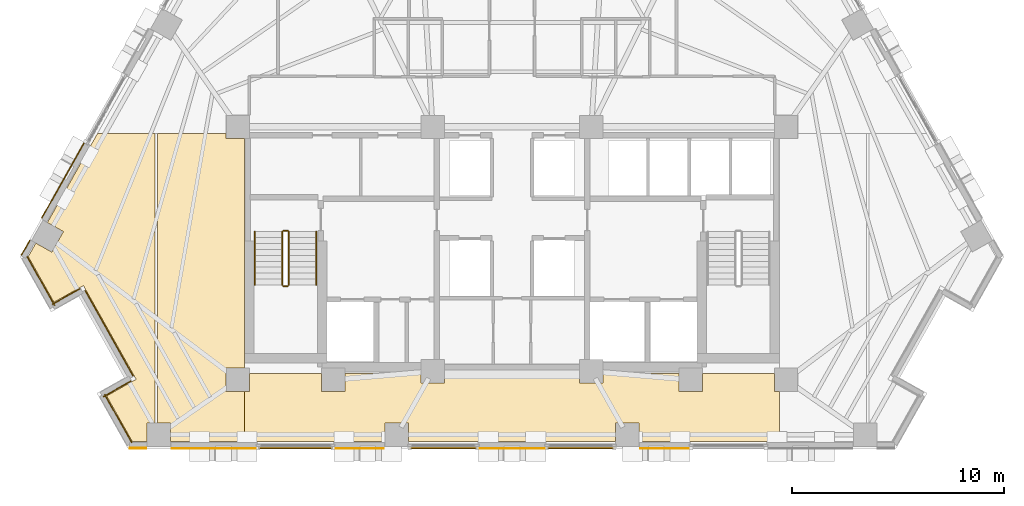
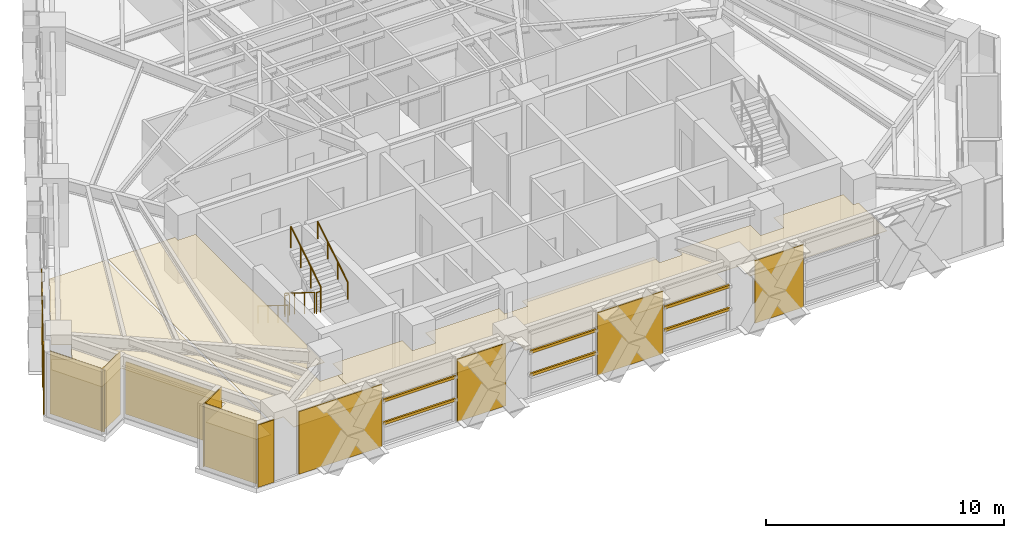
# One storey, part 11 of 14: 15 coverings, 6 railings, 6 shading devices.
"""IFC4 building model written with IfcOpenShell, lengths in metres."""

from ifc_helpers import new_model, si_unit, direction, frame, origin, origin_2d, place, context, subcontext, project, spatial, polyline, rectangle, circle, outline, extrude, material, layer, layer_set, material_profile, profile_set, type_object, element, save


model = new_model("IFC4")

# Units and contexts
model_context = context("Model", 3, precision=1e-05, world=origin(), true_north=direction((0.0, 1.0)))
body_context = subcontext(model_context, "Body", "Model", "MODEL_VIEW")
ifc_project = project(units=[si_unit("LENGTHUNIT", "METRE"), si_unit("AREAUNIT", "SQUARE_METRE"), si_unit("VOLUMEUNIT", "CUBIC_METRE"), si_unit("PLANEANGLEUNIT", "RADIAN"), si_unit("MASSUNIT", "GRAM", prefix="KILO")], contexts=[model_context])

# Site, building, storey
site_placement = place(None, origin())
site = spatial("IfcSite", under=ifc_project, at=site_placement, CompositionType="ELEMENT")
building_placement = place(site_placement, origin())
building = spatial("IfcBuilding", under=site, at=building_placement, Name="Quenlor Broadcast Tower", CompositionType="ELEMENT")
storey_placement = place(building_placement, frame((0.0, 0.0, 112.5)))
storey = spatial("IfcBuildingStorey", under=building, at=storey_placement, Name="L30", CompositionType="ELEMENT", Elevation=112.5)

# Coverings
ifc_material_1 = material(Name="Acoustic Mineral Fibre Board", Category="other")
ifc_layer_1 = layer(ifc_material_1, 0.02490234375)
ifc_layer_set_1 = layer_set([ifc_layer_1], Name="Acoustic Perforated Mineral Tile Ceiling 25")
covering_type_1 = type_object("IfcCoveringType", Name="Acoustic Perforated Mineral Tile Ceiling 25", PredefinedType="CEILING", material=ifc_layer_set_1)
covering_1_placement = place(storey_placement, frame((0.0, 0.0, 2.22509765625)))
element("IfcCovering", 1, at=covering_1_placement, inside=storey, type_object=covering_type_1, Name="L30 Acoustic Ceiling L30-38-4", PredefinedType="CEILING", context=body_context, shape_type="SweptSolid", body=[
    extrude(outline(polyline([(-13.508056640625, -5.35791015625), (-12.64990234375, -5.35791015625), (-12.64990234375, -16.19189453125), (-13.508056640625, -16.19189453125), (-13.508056640625, -17.30810546875), (-12.64990234375, -17.30810546875), (-12.64990234375, -19.659912109375), (-16.134521484375, -19.659912109375), (-16.134521484375, -18.7919921875), (-16.739990234375, -18.7919921875), (-16.739990234375, -5.1201171875), (-13.508056640625, -5.1201171875), (-13.508056640625, -5.35791015625)])), origin(), (0.0, 0.0, 1.0), 0.02490234375),
])
covering_2_placement = place(storey_placement, frame((0.0, 0.0, 2.22509765625)))
element("IfcCovering", 2, at=covering_2_placement, inside=storey, type_object=covering_type_1, Name="L30 Acoustic Ceiling L30-38-5", PredefinedType="CEILING", context=body_context, shape_type="SweptSolid", body=[
    extrude(outline(polyline([(-16.860107421875, -18.7919921875), (-17.25048828125, -18.7919921875), (-17.25048828125, -19.659912109375), (-17.9453125, -19.659912109375), (-19.15380859375, -17.510986328125), (-17.759521484375, -16.7265625), (-20.25, -12.299072265625), (-21.64453125, -13.08349609375), (-22.85693359375, -10.927978515625), (-22.49853515625, -10.290771484375), (-21.741943359375, -10.71630859375), (-21.19482421875, -9.74365234375), (-21.951416015625, -9.318115234375), (-19.58984375, -5.1201171875), (-16.860107421875, -5.1201171875), (-16.860107421875, -18.7919921875)])), origin(), (0.0, 0.0, 1.0), 0.02490234375),
])
covering_3_placement = place(storey_placement, frame((0.0, 0.0, 2.22509765625)))
element("IfcCovering", 3, at=covering_3_placement, inside=storey, type_object=covering_type_1, Name="L30 Acoustic Ceiling L30-38-8", PredefinedType="CEILING", context=body_context, shape_type="SweptSolid", body=[
    extrude(outline(polyline([(-12.39208984375, -17.30810546875), (-12.39208984375, -16.449951171875), (-9.008056640625, -16.449951171875), (-9.008056640625, -17.30810546875), (-7.89208984375, -17.30810546875), (-7.89208984375, -16.449951171875), (-4.30810546875, -16.449951171875), (-4.30810546875, -16.907958984375), (-3.19189453125, -16.907958984375), (-3.19189453125, -16.449951171875), (3.19189453125, -16.449951171875), (3.19189453125, -16.907958984375), (4.30810546875, -16.907958984375), (4.30810546875, -16.449951171875), (7.89208984375, -16.449951171875), (7.89208984375, -17.30810546875), (9.008056640625, -17.30810546875), (9.008056640625, -16.449951171875), (12.39208984375, -16.449951171875), (12.39208984375, -17.30810546875), (12.64990234375, -17.30810546875), (12.64990234375, -19.659912109375), (6.001220703125, -19.659912109375), (6.001220703125, -18.7919921875), (4.88525390625, -18.7919921875), (4.88525390625, -19.659912109375), (-4.88525390625, -19.659912109375), (-4.88525390625, -18.7919921875), (-6.001220703125, -18.7919921875), (-6.001220703125, -19.659912109375), (-12.64990234375, -19.659912109375), (-12.64990234375, -17.30810546875), (-12.39208984375, -17.30810546875)])), origin(), (0.0, 0.0, 1.0), 0.02490234375),
])

# Shading devices
ifc_material_2 = material(Name="Architectural Terracotta Ceramic", Category="masonry")
ifc_material_profile = material_profile(ifc_material_2, rectangle(XDim=0.090087890625, YDim=0.139892578125, at=origin_2d()))
ifc_profile_set = profile_set([ifc_material_profile], Name="Architectural Terracotta Ceramic BAG90x140")
shading_device_type = type_object("IfcShadingDeviceType", Name="Copper Terracotta Baguette Solar Screen 140", PredefinedType="USERDEFINED", material=ifc_profile_set)
for number, where, z_axis, x_axis, name in (
    (4, (-8.47119140625, -19.972900390625, 1.169921875), (-1.0, 0.0, 0.0), (0.0, -1.0, 0.0), "L30 Terracotta Baguette Screen 1"),
    (5, (-8.47119140625, -19.972900390625, 2.340087890625), (-1.0, 0.0, 0.0), (0.0, -1.0, 0.0), "L30 Terracotta Baguette Screen 2"),
):
    element("IfcShadingDevice", number, at=place(storey_placement, frame(where, z_axis=z_axis, x_axis=x_axis)), inside=storey, type_object=shading_device_type, Name=name, ObjectType="BAGUETTE", PredefinedType="USERDEFINED", context=body_context, shape_type="SweptSolid", body=[
        extrude(rectangle(XDim=0.090087890625, YDim=0.139892578125, at=origin_2d()), origin(), (0.0, 0.0, 1.0), 3.510498046875),
    ])
for number, where, z_axis, x_axis, name in (
    (6, (4.835693359375, -19.972900390625, 1.169921875), (-1.0, 0.0, 0.0), (0.0, -1.0, 0.0), "L30 Terracotta Baguette Screen 1"),
    (7, (4.835693359375, -19.972900390625, 2.340087890625), (-1.0, 0.0, 0.0), (0.0, -1.0, 0.0), "L30 Terracotta Baguette Screen 2"),
    (8, (-1.653564453125, -19.972900390625, 1.169921875), (-1.0, 0.0, 0.0), (0.0, -1.0, 0.0), "L30 Terracotta Baguette Screen 1"),
    (9, (-1.653564453125, -19.972900390625, 2.340087890625), (-1.0, 0.0, 0.0), (0.0, -1.0, 0.0), "L30 Terracotta Baguette Screen 2"),
):
    element("IfcShadingDevice", number, at=place(storey_placement, frame(where, z_axis=z_axis, x_axis=x_axis)), inside=storey, type_object=shading_device_type, Name=name, ObjectType="BAGUETTE", PredefinedType="USERDEFINED", context=body_context, shape_type="SweptSolid", body=[
        extrude(rectangle(XDim=0.090087890625, YDim=0.139892578125, at=origin_2d()), origin(), (0.0, 0.0, 1.0), 3.18212890625),
    ])

# Coverings
ifc_material_3 = material(Name="Architectural Terracotta Ceramic", Category="masonry")
ifc_layer_2 = layer(ifc_material_3, 0.044921875)
ifc_layer_set_2 = layer_set([ifc_layer_2], Name="Fluted Terracotta Rainscreen Cladding Panel")
covering_type_2 = type_object("IfcCoveringType", Name="Fluted Terracotta Rainscreen Cladding Panel", PredefinedType="CLADDING", material=ifc_layer_set_2)
covering_4_placement = place(storey_placement, frame((0.0, 0.0, 0.02001953125)))
element("IfcCovering", 10, at=covering_4_placement, inside=storey, type_object=covering_type_2, Name="L30 Terracotta Rainscreen Cladding L30-SHD-SS1", PredefinedType="CLADDING", context=body_context, shape_type="SweptSolid", body=[
    extrude(outline(polyline([(-17.277587890625, -19.951904296875), (-18.053955078125, -19.951904296875), (-18.053955078125, -19.9970703125), (-17.277587890625, -19.9970703125), (-17.277587890625, -19.951904296875)])), origin(), (0.0, 0.0, 1.0), 3.2099609375),
])
covering_5_placement = place(storey_placement, frame((0.0, 0.0, 0.02001953125)))
element("IfcCovering", 11, at=covering_5_placement, inside=storey, type_object=covering_type_2, Name="L30 Terracotta Rainscreen Cladding L30-SA-SP2", PredefinedType="CLADDING", context=body_context, shape_type="SweptSolid", body=[
    extrude(outline(polyline([(8.403564453125, -19.971923828125), (6.048095703125, -19.971923828125), (6.048095703125, -20.01708984375), (8.403564453125, -20.01708984375), (8.403564453125, -19.971923828125)])), origin(), (0.0, 0.0, 1.0), 3.2099609375),
])
covering_6_placement = place(storey_placement, frame((0.0, 0.0, 0.02001953125)))
element("IfcCovering", 12, at=covering_6_placement, inside=storey, type_object=covering_type_2, Name="L30 Terracotta Rainscreen Cladding L30-SC-SP1", PredefinedType="CLADDING", context=body_context, shape_type="SweptSolid", body=[
    extrude(outline(polyline([(-6.048095703125, -19.971923828125), (-8.403564453125, -19.971923828125), (-8.403564453125, -20.01708984375), (-6.048095703125, -20.01708984375), (-6.048095703125, -19.971923828125)])), origin(), (0.0, 0.0, 1.0), 3.2099609375),
])
covering_7_placement = place(storey_placement, frame((0.0, 0.0, 0.02001953125)))
element("IfcCovering", 13, at=covering_7_placement, inside=storey, type_object=covering_type_2, Name="L30 Terracotta Rainscreen Cladding L30-SC-SP2", PredefinedType="CLADDING", context=body_context, shape_type="SweptSolid", body=[
    extrude(outline(polyline([(-12.04931640625, -19.971923828125), (-16.08740234375, -19.971923828125), (-16.08740234375, -20.01708984375), (-12.04931640625, -20.01708984375), (-12.04931640625, -19.971923828125)])), origin(), (0.0, 0.0, 1.0), 3.2099609375),
])
covering_8_placement = place(storey_placement, frame((0.0, 0.0, 0.02001953125)))
element("IfcCovering", 14, at=covering_8_placement, inside=storey, type_object=covering_type_2, Name="L30 Terracotta Rainscreen Cladding L30-S-SP1", PredefinedType="CLADDING", context=body_context, shape_type="SweptSolid", body=[
    extrude(outline(polyline([(1.5859375, -19.971923828125), (-1.5859375, -19.971923828125), (-1.5859375, -20.01708984375), (1.5859375, -20.01708984375), (1.5859375, -19.971923828125)])), origin(), (0.0, 0.0, 1.0), 3.2099609375),
])
covering_9_placement = place(storey_placement, frame((0.0, 0.0, 0.02001953125)))
element("IfcCovering", 15, at=covering_9_placement, inside=storey, type_object=covering_type_2, Name="L30 Terracotta Rainscreen Cladding L30-SHD-NWS0", PredefinedType="CLADDING", context=body_context, shape_type="SweptSolid", body=[
    extrude(outline(polyline([(-23.160888671875, -10.873046875), (-22.76611328125, -10.171142578125), (-22.805419921875, -10.149169921875), (-23.2001953125, -10.85107421875), (-23.160888671875, -10.873046875)])), origin(), (0.0, 0.0, 1.0), 3.2099609375),
])
covering_10_placement = place(storey_placement, frame((0.0, 0.0, 0.02001953125)))
element("IfcCovering", 16, at=covering_10_placement, inside=storey, type_object=covering_type_2, Name="L30 Terracotta Rainscreen Cladding L30-NWA-SP1", PredefinedType="CLADDING", context=body_context, shape_type="SweptSolid", body=[
    extrude(outline(polyline([(-22.2001953125, -9.1240234375), (-20.188232421875, -5.547119140625), (-20.227294921875, -5.525146484375), (-22.239501953125, -9.10205078125), (-22.2001953125, -9.1240234375)])), origin(), (0.0, 0.0, 1.0), 3.2099609375),
])
covering_11_placement = place(storey_placement, frame((0.0, 0.0, 0.02001953125)))
element("IfcCovering", 17, at=covering_11_placement, inside=storey, type_object=covering_type_2, Name="L30 Terracotta Rainscreen Cladding L30-CNR-12", PredefinedType="CLADDING", context=body_context, shape_type="SweptSolid", body=[
    extrude(outline(polyline([(-22.931396484375, -10.93408203125), (-21.630126953125, -13.24755859375), (-21.591064453125, -13.2255859375), (-22.892333984375, -10.912109375), (-22.931396484375, -10.93408203125)])), origin(), (0.0, 0.0, 1.0), 3.2099609375),
])
covering_12_placement = place(storey_placement, frame((0.0, 0.0, 0.02001953125)))
element("IfcCovering", 18, at=covering_12_placement, inside=storey, type_object=covering_type_2, Name="L30 Terracotta Rainscreen Cladding L30-CNR-13", PredefinedType="CLADDING", context=body_context, shape_type="SweptSolid", body=[
    extrude(outline(polyline([(-21.70703125, -13.19677734375), (-20.399658203125, -12.461181640625), (-20.421630859375, -12.422119140625), (-21.72900390625, -13.157470703125), (-21.70703125, -13.19677734375)])), origin(), (0.0, 0.0, 1.0), 3.2099609375),
])
covering_13_placement = place(storey_placement, frame((0.0, 0.0, 0.02001953125)))
element("IfcCovering", 19, at=covering_13_placement, inside=storey, type_object=covering_type_2, Name="L30 Terracotta Rainscreen Cladding L30-CNR-14", PredefinedType="CLADDING", context=body_context, shape_type="SweptSolid", body=[
    extrude(outline(polyline([(-20.186767578125, -12.55029296875), (-17.921630859375, -16.576904296875), (-17.88232421875, -16.554931640625), (-20.1474609375, -12.5283203125), (-20.186767578125, -12.55029296875)])), origin(), (0.0, 0.0, 1.0), 2.681884765625),
])
covering_14_placement = place(storey_placement, frame((0.0, 0.0, 0.02001953125)))
element("IfcCovering", 20, at=covering_14_placement, inside=storey, type_object=covering_type_2, Name="L30 Terracotta Rainscreen Cladding L30-CNR-15", PredefinedType="CLADDING", context=body_context, shape_type="SweptSolid", body=[
    extrude(outline(polyline([(-18.010498046875, -16.789794921875), (-19.31787109375, -17.525390625), (-19.2958984375, -17.564697265625), (-17.988525390625, -16.8291015625), (-18.010498046875, -16.789794921875)])), origin(), (0.0, 0.0, 1.0), 3.2099609375),
])
covering_15_placement = place(storey_placement, frame((0.0, 0.0, 0.02001953125)))
element("IfcCovering", 21, at=covering_15_placement, inside=storey, type_object=covering_type_2, Name="L30 Terracotta Rainscreen Cladding L30-CNR-16", PredefinedType="CLADDING", context=body_context, shape_type="SweptSolid", body=[
    extrude(outline(polyline([(-19.26708984375, -17.448486328125), (-17.987060546875, -19.72412109375), (-17.947998046875, -19.7021484375), (-19.227783203125, -17.426513671875), (-19.26708984375, -17.448486328125)])), origin(), (0.0, 0.0, 1.0), 3.2099609375),
])

# Railings
ifc_material_4 = material(Name="Anodised Aluminium", Category="aluminium")
railing_type_1 = type_object("IfcRailingType", Name="Stainless Aluminium Wall Handrail 900", PredefinedType="HANDRAIL", material=ifc_material_4)
railing_1_placement = place(storey_placement, frame((-12.14990234375, -9.75, 0.175048828125)))
element("IfcRailing", 22, at=railing_1_placement, inside=storey, type_object=railing_type_1, Name="L30 ST-1 stair handrail 1", PredefinedType="HANDRAIL", context=body_context, shape_type="SweptSolid", body=[
    extrude(circle(Radius=0.02392578125, at=origin_2d()), frame((0.0, 0.0, 0.8759765625), z_axis=(0.0, -0.848007534815, 0.529984170421), x_axis=(1.0, 0.0, 0.0)), (0.0, 0.0, 1.0), 2.9716796875),
    extrude(circle(Radius=0.02099609375, at=origin_2d()), origin(), (0.0, 0.0, 1.0), 0.851806640625),
    extrude(circle(Radius=0.02099609375, at=origin_2d()), frame((0.0, -0.840087890625, 0.52490234375)), (0.0, 0.0, 1.0), 0.851806640625),
    extrude(circle(Radius=0.02099609375, at=origin_2d()), frame((0.0, -1.679931640625, 1.050048828125)), (0.0, 0.0, 1.0), 0.851806640625),
    extrude(circle(Radius=0.02099609375, at=origin_2d()), frame((0.0, -2.52001953125, 1.574951171875)), (0.0, 0.0, 1.0), 0.851806640625),
])
railing_2_placement = place(storey_placement, frame((-9.25, -12.27001953125, 1.925048828125)))
element("IfcRailing", 23, at=railing_2_placement, inside=storey, type_object=railing_type_1, Name="L30 ST-1 stair handrail 2", PredefinedType="HANDRAIL", context=body_context, shape_type="SweptSolid", body=[
    extrude(circle(Radius=0.02392578125, at=origin_2d()), frame((0.0, 0.0, 0.8759765625), z_axis=(0.0, 0.848007534815, 0.529984170421), x_axis=(-1.0, 0.0, 0.0)), (0.0, 0.0, 1.0), 2.9716796875),
    extrude(circle(Radius=0.02099609375, at=origin_2d()), origin(), (0.0, 0.0, 1.0), 0.851806640625),
    extrude(circle(Radius=0.02099609375, at=origin_2d()), frame((0.0, 0.840087890625, 0.52490234375)), (0.0, 0.0, 1.0), 0.851806640625),
    extrude(circle(Radius=0.02099609375, at=origin_2d()), frame((0.0, 1.679931640625, 1.050048828125)), (0.0, 0.0, 1.0), 0.851806640625),
    extrude(circle(Radius=0.02099609375, at=origin_2d()), frame((0.0, 2.52001953125, 1.574951171875)), (0.0, 0.0, 1.0), 0.851806640625),
])
ifc_material_5 = material(Name="Steel S355", Category="steel")
railing_type_2 = type_object("IfcRailingType", Name="Tubular Steel S355 Stair Guardrail 1100", PredefinedType="BALUSTRADE", material=ifc_material_5)
railing_3_placement = place(storey_placement, frame((-10.85009765625, -9.75, 0.175048828125)))
element("IfcRailing", 24, at=railing_3_placement, inside=storey, type_object=railing_type_2, Name="L30 ST-1 stair guard 1", PredefinedType="BALUSTRADE", context=body_context, shape_type="SweptSolid", body=[
    extrude(circle(Radius=0.02392578125, at=origin_2d()), frame((0.0, 0.0, 1.076171875), z_axis=(0.0, -0.848007534815, 0.529984170421), x_axis=(1.0, 0.0, 0.0)), (0.0, 0.0, 1.0), 2.9716796875),
    extrude(circle(Radius=0.02099609375, at=origin_2d()), origin(), (0.0, 0.0, 1.0), 1.052001953125),
    extrude(circle(Radius=0.02099609375, at=origin_2d()), frame((0.0, -0.840087890625, 0.52490234375)), (0.0, 0.0, 1.0), 1.052001953125),
    extrude(circle(Radius=0.02099609375, at=origin_2d()), frame((0.0, -1.679931640625, 1.050048828125)), (0.0, 0.0, 1.0), 1.052001953125),
    extrude(circle(Radius=0.02099609375, at=origin_2d()), frame((0.0, -2.52001953125, 1.574951171875)), (0.0, 0.0, 1.0), 1.052001953125),
])
railing_4_placement = place(storey_placement, frame((-10.800048828125, -12.320068359375, 1.75)))
element("IfcRailing", 25, at=railing_4_placement, inside=storey, type_object=railing_type_2, Name="L30 ST-1 stair guard 2", PredefinedType="BALUSTRADE", context=body_context, shape_type="SweptSolid", body=[
    extrude(circle(Radius=0.02392578125, at=origin_2d()), frame((0.0, 0.0, 1.076171875), z_axis=(1.0, 0.0, 0.0), x_axis=(0.0, 1.0, 0.0)), (0.0, 0.0, 1.0), 0.199951171875),
    extrude(circle(Radius=0.02099609375, at=origin_2d()), origin(), (0.0, 0.0, 1.0), 1.052001953125),
    extrude(circle(Radius=0.02099609375, at=origin_2d()), frame((0.199951171875, 0.0, 0.0)), (0.0, 0.0, 1.0), 1.052001953125),
])
railing_5_placement = place(storey_placement, frame((-10.550048828125, -12.27001953125, 1.925048828125)))
element("IfcRailing", 26, at=railing_5_placement, inside=storey, type_object=railing_type_2, Name="L30 ST-1 stair guard 3", PredefinedType="BALUSTRADE", context=body_context, shape_type="SweptSolid", body=[
    extrude(circle(Radius=0.02392578125, at=origin_2d()), frame((0.0, 0.0, 1.076171875), z_axis=(0.0, 0.848007534815, 0.529984170421), x_axis=(-1.0, 0.0, 0.0)), (0.0, 0.0, 1.0), 2.9716796875),
    extrude(circle(Radius=0.02099609375, at=origin_2d()), origin(), (0.0, 0.0, 1.0), 1.052001953125),
    extrude(circle(Radius=0.02099609375, at=origin_2d()), frame((0.0, 0.840087890625, 0.52490234375)), (0.0, 0.0, 1.0), 1.052001953125),
    extrude(circle(Radius=0.02099609375, at=origin_2d()), frame((0.0, 1.679931640625, 1.050048828125)), (0.0, 0.0, 1.0), 1.052001953125),
    extrude(circle(Radius=0.02099609375, at=origin_2d()), frame((0.0, 2.52001953125, 1.574951171875)), (0.0, 0.0, 1.0), 1.052001953125),
])
railing_6_placement = place(storey_placement, frame((-10.800048828125, -9.699951171875, 0.0)))
element("IfcRailing", 27, at=railing_6_placement, inside=storey, type_object=railing_type_2, Name="L30 ST-1 stair guard 4", PredefinedType="BALUSTRADE", context=body_context, shape_type="SweptSolid", body=[
    extrude(circle(Radius=0.02392578125, at=origin_2d()), frame((0.0, 0.0, 1.076171875), z_axis=(1.0, 0.0, 0.0), x_axis=(0.0, 1.0, 0.0)), (0.0, 0.0, 1.0), 0.199951171875),
    extrude(circle(Radius=0.02099609375, at=origin_2d()), origin(), (0.0, 0.0, 1.0), 1.052001953125),
    extrude(circle(Radius=0.02099609375, at=origin_2d()), frame((0.199951171875, 0.0, 0.0)), (0.0, 0.0, 1.0), 1.052001953125),
])

save(model, "model.ifc")
